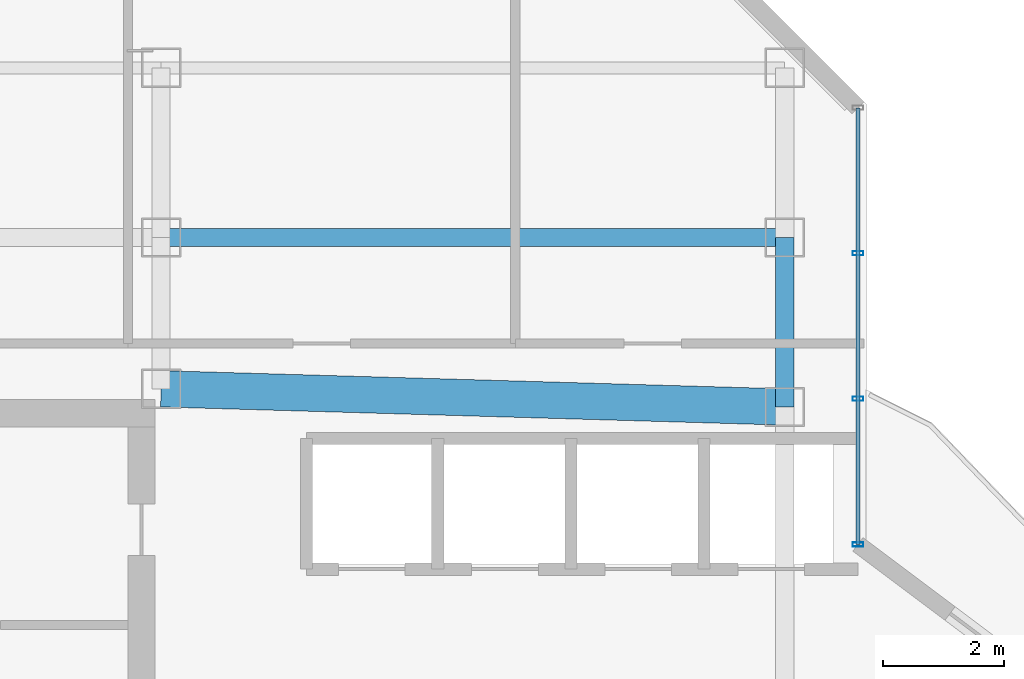
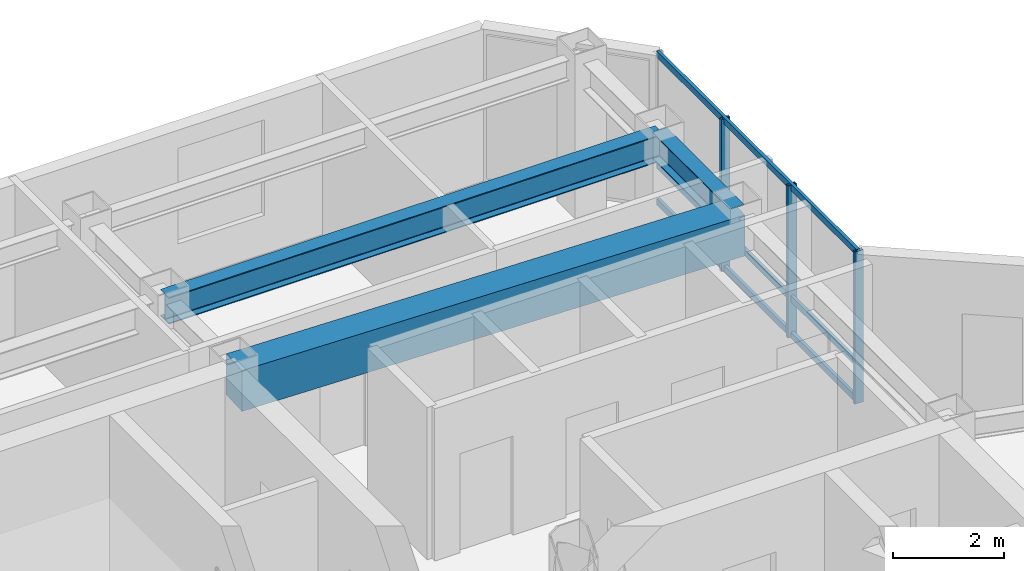
# One storey, part 8 of 21: 6 members, 3 beams, 1 element without a shape of its own.
"""IFC4 building model written with IfcOpenShell, lengths in metres."""

from ifc_helpers import new_model, si_unit, direction, frame, origin, origin_2d, place, context, subcontext, project, spatial, rectangle, hollow_rectangle, i_section, extrude, material, layer, layer_set, material_profile, profile_set, type_object, element, aggregate, save


model = new_model("IFC4")

# Units and contexts
model_context = context("Model", 3, precision=1e-05, world=origin(), true_north=direction((0.0, 1.0)))
body_context = subcontext(model_context, "Body", "Model", "MODEL_VIEW")
ifc_project = project(units=[si_unit("LENGTHUNIT", "METRE"), si_unit("AREAUNIT", "SQUARE_METRE"), si_unit("VOLUMEUNIT", "CUBIC_METRE"), si_unit("PLANEANGLEUNIT", "RADIAN"), si_unit("MASSUNIT", "GRAM", prefix="KILO")], contexts=[model_context])

# Site, building, storey
site_placement = place(None, origin())
site = spatial("IfcSite", under=ifc_project, at=site_placement, CompositionType="ELEMENT")
building_placement = place(site_placement, origin())
building = spatial("IfcBuilding", under=site, at=building_placement, Name="Hatsunagi Terrace Concourse", CompositionType="ELEMENT")
storey_placement = place(building_placement, frame((0.0, 0.0, 246.75)))
storey = spatial("IfcBuildingStorey", under=building, at=storey_placement, Name="L65", CompositionType="ELEMENT", Elevation=246.75)

# Beam
ifc_material_1 = material(Name="Concrete Fc42", Category="concrete")
ifc_material_profile_1 = material_profile(ifc_material_1, rectangle(XDim=0.60009765625, YDim=0.89990234375, at=origin_2d()), Name="RC-600x900")
ifc_profile_set_1 = profile_set([ifc_material_profile_1], Name="Concrete Fc42")
beam_type_1 = type_object("IfcBeamType", Name="CoreCouplingBeam_RC_600x900", PredefinedType="BEAM", material=ifc_profile_set_1)
beam_1_placement = place(storey_placement, frame((33.35009765625, 43.300048828125, 2.89990234375), z_axis=(0.999575947545, -0.029119153303, 0.0), x_axis=(0.029119153303, 0.999575947545, 0.0)))
element("IfcBeam", 1, at=beam_1_placement, inside=storey, type_object=beam_type_1, Name="Beam CB-03 CB-L65-2", PredefinedType="BEAM", context=body_context, shape_type="SweptSolid", body=[
    extrude(rectangle(XDim=0.60009765625, YDim=0.89990234375, at=origin_2d()), origin(), (0.0, 0.0, 1.0), 10.30419921875),
])

# Curtain wall, members
ifc_material_2 = material(Name="Anodised Aluminium Alloy 6063-T5", Category="aluminium")
ifc_layer = layer(ifc_material_2, 0.199951171875)
ifc_layer_set = layer_set([ifc_layer], Name="OfficeZone2_CW04")
curtain_wall_type = type_object("IfcCurtainWallType", Name="OfficeZone2_CW04", PredefinedType="NOTDEFINED", material=ifc_layer_set)
curtain_wall_placement = place(storey_placement, origin())
curtain_wall = element("IfcCurtainWall", 2, at=curtain_wall_placement, inside=storey, type_object=curtain_wall_type, Name="Unitised Curtain Wall CW-04 CW-L65-12", PredefinedType="NOTDEFINED")
ifc_material_3 = material(Name="Anodised Aluminium Alloy 6063-T5", Category="aluminium")
ifc_material_profile_2 = material_profile(ifc_material_3, hollow_rectangle(XDim=0.070068359375, YDim=0.179931640625, WallThickness=0.00390625, at=origin_2d()), Name="ALU-MUL-180x70x4")
ifc_profile_set_2 = profile_set([ifc_material_profile_2], Name="Anodised Aluminium Alloy 6063-T5")
member_type_1 = type_object("IfcMemberType", Name="CurtainWallMullion_180x70", PredefinedType="MULLION", material=ifc_profile_set_2)
member_1_placement = place(storey_placement, frame((44.860107421875, 45.5380859375, 0.0), z_axis=(0.0, 0.0, 1.0), x_axis=(0.0, -1.0, 0.0)))
member_1 = element("IfcMember", 3, at=member_1_placement, type_object=member_type_1, Name="Curtain Wall Mullion MUL-02", PredefinedType="MULLION", context=body_context, shape_type="SweptSolid", body=[
    extrude(hollow_rectangle(XDim=0.070068359375, YDim=0.179931640625, WallThickness=0.00390625, at=origin_2d()), origin(), (0.0, 0.0, 1.0), 3.35009765625),
])
member_2_placement = place(storey_placement, frame((44.860107421875, 43.134033203125, 0.0), z_axis=(0.0, 0.0, 1.0), x_axis=(0.0, -1.0, 0.0)))
member_2 = element("IfcMember", 4, at=member_2_placement, type_object=member_type_1, Name="Curtain Wall Mullion MUL-02", PredefinedType="MULLION", context=body_context, shape_type="SweptSolid", body=[
    extrude(hollow_rectangle(XDim=0.070068359375, YDim=0.179931640625, WallThickness=0.00390625, at=origin_2d()), origin(), (0.0, 0.0, 1.0), 3.35009765625),
])
member_3_placement = place(storey_placement, frame((44.860107421875, 40.72998046875, 0.0), z_axis=(0.0, 0.0, 1.0), x_axis=(0.0, -1.0, 0.0)))
member_3 = element("IfcMember", 5, at=member_3_placement, type_object=member_type_1, Name="Curtain Wall Mullion MUL-02", PredefinedType="MULLION", context=body_context, shape_type="SweptSolid", body=[
    extrude(hollow_rectangle(XDim=0.070068359375, YDim=0.179931640625, WallThickness=0.00390625, at=origin_2d()), origin(), (0.0, 0.0, 1.0), 3.35009765625),
])
ifc_material_4 = material(Name="Anodised Aluminium Alloy 6063-T5", Category="aluminium")
ifc_material_profile_3 = material_profile(ifc_material_4, hollow_rectangle(XDim=0.06494140625, YDim=0.139892578125, WallThickness=0.00390625, at=origin_2d()), Name="ALU-TRN-140x65x4")
ifc_profile_set_3 = profile_set([ifc_material_profile_3], Name="Anodised Aluminium Alloy 6063-T5")
member_type_2 = type_object("IfcMemberType", Name="CurtainWallTransom_140x65", PredefinedType="USERDEFINED", material=ifc_profile_set_3)
member_4_placement = place(storey_placement, frame((44.860107421875, 47.94189453125, 0.050048828125), z_axis=(0.0, -1.0, 0.0), x_axis=(1.0, 0.0, 0.0)))
member_4 = element("IfcMember", 6, at=member_4_placement, type_object=member_type_2, Name="Curtain Wall Transom TRN-02", ObjectType="TRANSOM", PredefinedType="USERDEFINED", context=body_context, shape_type="SweptSolid", body=[
    extrude(hollow_rectangle(XDim=0.06494140625, YDim=0.139892578125, WallThickness=0.00390625, at=origin_2d()), origin(), (0.0, 0.0, 1.0), 7.2119140625),
])
member_5_placement = place(storey_placement, frame((44.860107421875, 47.94189453125, 0.85009765625), z_axis=(0.0, -1.0, 0.0), x_axis=(1.0, 0.0, 0.0)))
member_5 = element("IfcMember", 7, at=member_5_placement, type_object=member_type_2, Name="Curtain Wall Transom TRN-02", ObjectType="TRANSOM", PredefinedType="USERDEFINED", context=body_context, shape_type="SweptSolid", body=[
    extrude(hollow_rectangle(XDim=0.06494140625, YDim=0.139892578125, WallThickness=0.00390625, at=origin_2d()), origin(), (0.0, 0.0, 1.0), 7.2119140625),
])
member_6_placement = place(storey_placement, frame((44.860107421875, 47.94189453125, 3.300048828125), z_axis=(0.0, -1.0, 0.0), x_axis=(1.0, 0.0, 0.0)))
member_6 = element("IfcMember", 8, at=member_6_placement, type_object=member_type_2, Name="Curtain Wall Transom TRN-02", ObjectType="TRANSOM", PredefinedType="USERDEFINED", context=body_context, shape_type="SweptSolid", body=[
    extrude(hollow_rectangle(XDim=0.06494140625, YDim=0.139892578125, WallThickness=0.00390625, at=origin_2d()), origin(), (0.0, 0.0, 1.0), 7.2119140625),
])
aggregate(curtain_wall, [member_1, member_2, member_3, member_4, member_5, member_6])

# Beams
ifc_material_5 = material(Name="Steel SN490B", Category="steel")
ifc_material_profile_4 = material_profile(ifc_material_5, i_section(OverallWidth=0.300048828125, OverallDepth=0.587890625, WebThickness=0.011962890625, FlangeThickness=0.02001953125, FilletRadius=0.01806640625, at=origin_2d()), Name="H-588x300x12x20")
ifc_profile_set_4 = profile_set([ifc_material_profile_4], Name="Steel SN490B")
beam_type_2 = type_object("IfcBeamType", Name="OfficeHighGirder_H_588x300", PredefinedType="BEAM", material=ifc_profile_set_4)
beam_2_placement = place(storey_placement, frame((43.64990234375, 43.0, 3.055908203125), z_axis=(0.0, 1.0, 0.0), x_axis=(-1.0, 0.0, 0.0)))
element("IfcBeam", 9, at=beam_2_placement, inside=storey, type_object=beam_type_2, Name="Beam G-06 BM-L65-CN3", PredefinedType="BEAM", context=body_context, shape_type="SweptSolid", body=[
    extrude(i_section(OverallWidth=0.300048828125, OverallDepth=0.587890625, WebThickness=0.011962890625, FlangeThickness=0.02001953125, FilletRadius=0.01806640625, at=origin_2d()), origin(), (0.0, 0.0, 1.0), 2.800048828125),
])
beam_3_placement = place(storey_placement, frame((33.35009765625, 45.800048828125, 3.055908203125), z_axis=(1.0, 0.0, 0.0), x_axis=(0.0, 1.0, 0.0)))
element("IfcBeam", 10, at=beam_3_placement, inside=storey, type_object=beam_type_2, Name="Beam G-06 BM-L65-CNEW2", PredefinedType="BEAM", context=body_context, shape_type="SweptSolid", body=[
    extrude(i_section(OverallWidth=0.300048828125, OverallDepth=0.587890625, WebThickness=0.011962890625, FlangeThickness=0.02001953125, FilletRadius=0.01806640625, at=origin_2d()), origin(), (0.0, 0.0, 1.0), 10.2998046875),
])

save(model, "model.ifc")
